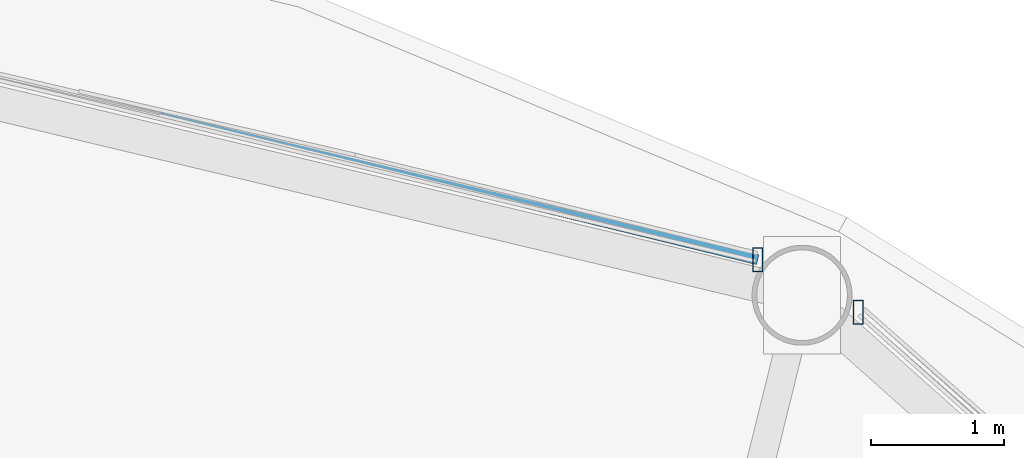
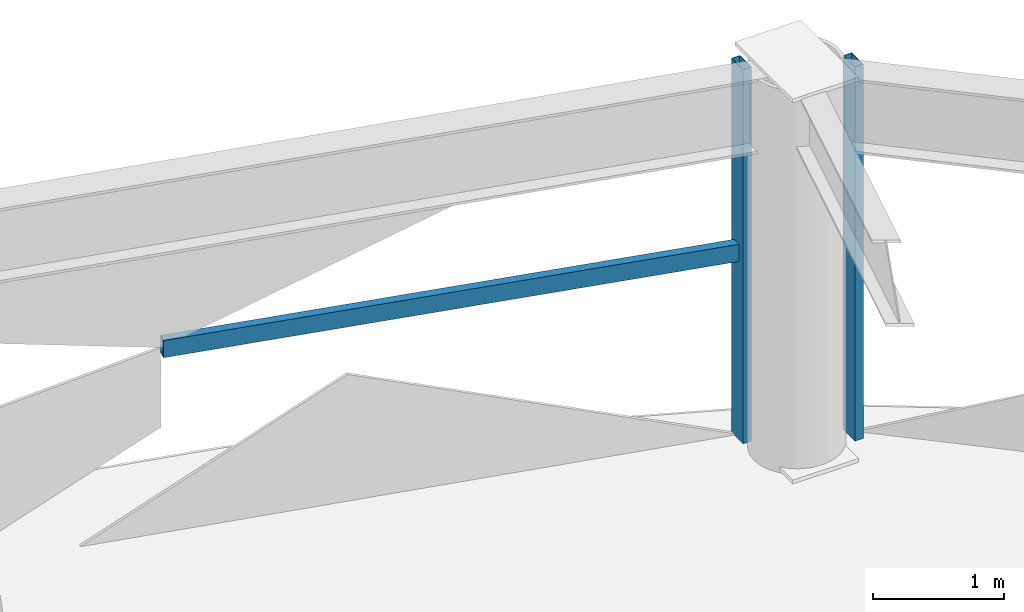
# One storey, part 21 of 30: 3 members, 2 elements without a shape of their own.
"""IFC4 building model written with IfcOpenShell, lengths in metres."""

from ifc_helpers import new_model, si_unit, direction, frame, origin, origin_2d, place, context, subcontext, project, spatial, hollow_rectangle, extrude, material, layer, layer_set, material_profile, profile_set, type_object, element, aggregate, save


model = new_model("IFC4")

# Units and contexts
model_context = context("Model", 3, precision=1e-05, world=origin(), true_north=direction((0.0, 1.0)))
body_context = subcontext(model_context, "Body", "Model", "MODEL_VIEW")
ifc_project = project(units=[si_unit("LENGTHUNIT", "METRE"), si_unit("AREAUNIT", "SQUARE_METRE"), si_unit("VOLUMEUNIT", "CUBIC_METRE"), si_unit("PLANEANGLEUNIT", "RADIAN"), si_unit("MASSUNIT", "GRAM", prefix="KILO")], contexts=[model_context])

# Site, building, storey
site_placement = place(None, origin())
site = spatial("IfcSite", under=ifc_project, at=site_placement, CompositionType="ELEMENT")
building_placement = place(site_placement, origin())
building = spatial("IfcBuilding", under=site, at=building_placement, Name="Vantalir Tower", CompositionType="ELEMENT")
storey_placement = place(building_placement, frame((0.0, 0.0, 130.949951171875)))
storey = spatial("IfcBuildingStorey", under=building, at=storey_placement, Name="L32", CompositionType="ELEMENT", Elevation=130.949951171875)

# Curtain wall, member
ifc_material_1 = material(Name="Champagne-silver PVDF aluminium and double-silver Low-E glass", Category="aluminium")
ifc_layer = layer(ifc_material_1, 0.199951171875)
ifc_layer_set = layer_set([ifc_layer], Name="Champagne-silver PVDF aluminium and double-silver Low-E glass")
curtain_wall_type = type_object("IfcCurtainWallType", Name="CW-DIAMOND-Z2", PredefinedType="USERDEFINED", material=ifc_layer_set)
curtain_wall_1_placement = place(storey_placement, origin())
curtain_wall_1 = element("IfcCurtainWall", 1, at=curtain_wall_1_placement, inside=storey, type_object=curtain_wall_type, Name="L32 Quilted Pyramid-Diamond Curtain Wall S02", ObjectType="UNITISED CURTAIN WALL", PredefinedType="USERDEFINED")
ifc_material_2 = material(Name="Champagne-silver PVDF aluminium 6063-T6", Category="aluminium")
ifc_material_profile_1 = material_profile(ifc_material_2, hollow_rectangle(XDim=0.074951171875, YDim=0.179931640625, WallThickness=0.00390625, at=origin_2d()), Name="Champagne-silver PVDF aluminium 6063-T6")
ifc_profile_set_1 = profile_set([ifc_material_profile_1], Name="Champagne-silver PVDF aluminium 6063-T6")
member_type_1 = type_object("IfcMemberType", Name="CWM-180x75", PredefinedType="MULLION", material=ifc_profile_set_1)
member_1_placement = place(storey_placement, frame((44.469970703125, 44.222900390625, 0.045166015625), z_axis=(0.0, 0.0, 1.0), x_axis=(1.0, 0.0, 0.0)))
member_1 = element("IfcMember", 2, at=member_1_placement, type_object=member_type_1, Name="CW-L32-S02 Mullion 2", PredefinedType="MULLION", context=body_context, shape_type="SweptSolid", body=[
    extrude(hollow_rectangle(XDim=0.074951171875, YDim=0.179931640625, WallThickness=0.00390625, at=origin_2d()), origin(), (0.0, 0.0, 1.0), 3.47998046875),
])
aggregate(curtain_wall_1, [member_1])

# Curtain wall, members
curtain_wall_2_placement = place(storey_placement, origin())
curtain_wall_2 = element("IfcCurtainWall", 3, at=curtain_wall_2_placement, inside=storey, type_object=curtain_wall_type, Name="L32 Quilted Pyramid-Diamond Curtain Wall S03", ObjectType="UNITISED CURTAIN WALL", PredefinedType="USERDEFINED")
member_2_placement = place(storey_placement, frame((43.714111328125, 44.617919921875, 0.045166015625), z_axis=(0.0, 0.0, 1.0), x_axis=(1.0, 0.0, 0.0)))
member_2 = element("IfcMember", 4, at=member_2_placement, type_object=member_type_1, Name="CW-L32-S03 Mullion 1", PredefinedType="MULLION", context=body_context, shape_type="SweptSolid", body=[
    extrude(hollow_rectangle(XDim=0.074951171875, YDim=0.179931640625, WallThickness=0.00390625, at=origin_2d()), origin(), (0.0, 0.0, 1.0), 3.47998046875),
])
ifc_material_profile_2 = material_profile(ifc_material_2, hollow_rectangle(XDim=0.074951171875, YDim=0.159912109375, WallThickness=0.00390625, at=origin_2d()), Name="Champagne-silver PVDF aluminium 6063-T6")
ifc_profile_set_2 = profile_set([ifc_material_profile_2], Name="Champagne-silver PVDF aluminium 6063-T6")
member_type_2 = type_object("IfcMemberType", Name="CWT-160x75", PredefinedType="USERDEFINED", material=ifc_profile_set_2)
member_3_placement = place(storey_placement, frame((43.714111328125, 44.617919921875, 1.78515625), z_axis=(-0.971432990168, 0.237314023213, 0.0), x_axis=(-0.237314023213, -0.971432990168, 0.0)))
member_3 = element("IfcMember", 5, at=member_3_placement, type_object=member_type_2, Name="CW-L32-S03 Pyramid Fold Ridge Transom", ObjectType="TRANSOM", PredefinedType="USERDEFINED", context=body_context, shape_type="SweptSolid", body=[
    extrude(hollow_rectangle(XDim=0.074951171875, YDim=0.159912109375, WallThickness=0.00390625, at=origin_2d()), origin(), (0.0, 0.0, 1.0), 4.6015625),
])
aggregate(curtain_wall_2, [member_2, member_3])

save(model, "model.ifc")
